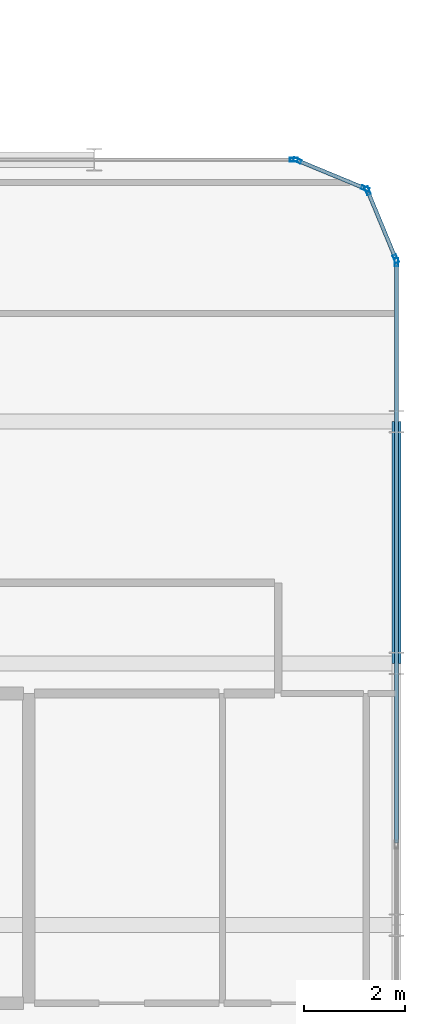
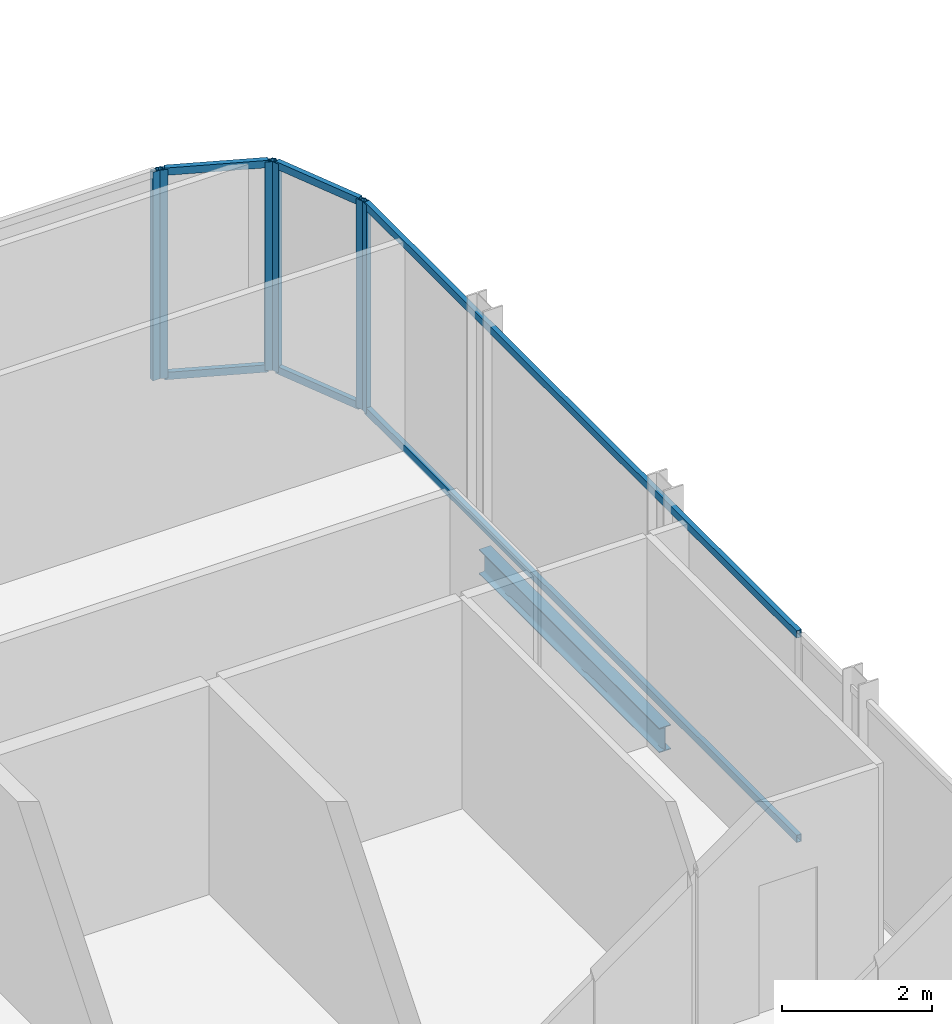
# One storey, part 15 of 29: 12 members, 1 beam, 4 elements without a shape of their own.
"""IFC4 building model written with IfcOpenShell, lengths in metres."""

import ifcopenshell
import ifcopenshell.guid

model = None  # the IFC model being written
_history = None  # IfcOwnerHistory: only IFC2X3 demands one
_inside = {}  # id of a spatial element -> (the spatial element, [elements in it])
_under = {}  # id of a project, library or spatial element -> (it, [spatial elements below it])
_declared = {}  # id of a project -> (the project, [libraries it declares])
_typed = {}  # id of a type object -> (the type object, [elements of that type])
_made_of = {}  # id of a material, layer set ... -> (it, [elements and type objects made of it])


def new_model(schema):
    """Start an empty IFC model of exactly this schema.

    Asked for "IFC4X3", IfcOpenShell would pick the latest addendum, in which some entities
    have other attributes; the version numbers below select the first issue.
    IFC2X3 requires an IfcOwnerHistory on every rooted entity: one is made here for all.
    """
    global model, _history
    if schema == "IFC4X3":
        model = ifcopenshell.file(schema_version=(4, 3, 0, 0))
    else:
        model = ifcopenshell.file(schema=schema)
    _inside.clear()
    _under.clear()
    _declared.clear()
    _typed.clear()
    _made_of.clear()
    _history = None
    if model.schema == "IFC2X3":
        org = make("IfcOrganization", Name="unknown")
        user = make(
            "IfcPersonAndOrganization",
            ThePerson=make("IfcPerson", FamilyName="unknown"),
            TheOrganization=org,
        )
        app = make(
            "IfcApplication",
            ApplicationDeveloper=org,
            Version="unknown",
            ApplicationFullName="unknown",
            ApplicationIdentifier="unknown",
        )
        _history = make(
            "IfcOwnerHistory",
            OwningUser=user,
            OwningApplication=app,
            ChangeAction="ADDED",
            CreationDate=0,
        )
    return model


def make(cls, **values):
    """One entity of the class cls with the attributes given. An attribute that is None is left unset."""
    return model.create_entity(
        cls, **{name: value for name, value in values.items() if value is not None}
    )


def rooted(cls, **values):
    """An entity with a GlobalId (a new one), such as an element, a storey or a relation."""
    return make(cls, GlobalId=ifcopenshell.guid.new(), OwnerHistory=_history, **values)


def si_unit(unit_type, name, prefix=None):
    """IfcSIUnit, for example si_unit("LENGTHUNIT", "METRE", prefix="MILLI")."""
    return make("IfcSIUnit", UnitType=unit_type, Prefix=prefix, Name=name)


def assignment(units):
    """IfcUnitAssignment: the units of a project."""
    return None if units is None else make("IfcUnitAssignment", Units=units)


def point(xyz):
    """IfcCartesianPoint."""
    return None if xyz is None else make("IfcCartesianPoint", Coordinates=xyz)


def direction(xyz):
    """IfcDirection."""
    return None if xyz is None else make("IfcDirection", DirectionRatios=xyz)


def frame(location, z_axis=None, x_axis=None):
    """IfcAxis2Placement3D, a coordinate frame: its origin and axes. An axis left out is left unset."""
    return make(
        "IfcAxis2Placement3D",
        Location=point(location),
        Axis=direction(z_axis),
        RefDirection=direction(x_axis),
    )


def frame_2d(location, x_axis=None):
    """IfcAxis2Placement2D, a coordinate frame in the plane: its origin and x axis."""
    return make(
        "IfcAxis2Placement2D", Location=point(location), RefDirection=direction(x_axis)
    )


def origin():
    """The frame at (0, 0, 0) with its axes left unset."""
    return frame((0.0, 0.0, 0.0))


def origin_2d():
    """The frame at (0, 0) in the plane with its x axis left unset."""
    return frame_2d((0.0, 0.0))


def place(relative_to, where):
    """IfcLocalPlacement: puts the frame where relative to a parent placement (None: the world)."""
    return make(
        "IfcLocalPlacement", PlacementRelTo=relative_to, RelativePlacement=where
    )


def context(
    kind, dimensions, precision=None, world=None, true_north=None, identifier=None
):
    """IfcGeometricRepresentationContext, for example the 3D "Model" context."""
    return make(
        "IfcGeometricRepresentationContext",
        ContextIdentifier=identifier,
        ContextType=kind,
        CoordinateSpaceDimension=dimensions,
        Precision=precision,
        WorldCoordinateSystem=world,
        TrueNorth=true_north,
    )


def subcontext(parent, identifier, kind, view, scale=None):
    """IfcGeometricRepresentationSubContext, for example "Body" below "Model"."""
    return make(
        "IfcGeometricRepresentationSubContext",
        ContextIdentifier=identifier,
        ContextType=kind,
        ParentContext=parent,
        TargetScale=scale,
        TargetView=view,
    )


def project(units=None, contexts=None):
    """IfcProject with its units and contexts."""
    return rooted(
        "IfcProject",
        Name="project",
        RepresentationContexts=contexts,
        UnitsInContext=assignment(units),
    )


def spatial(cls, under=None, at=None, **own):
    """A site, building, storey or space (cls), placed at a placement, below another one or the project."""
    s = rooted(cls, ObjectPlacement=at, **own)
    if under is not None:
        _under.setdefault(under.id(), (under, []))[1].append(s)
    return s


def profile(cls, at=None, kind="AREA", **sizes):
    """A parametric profile (cls). Its sizes go by their IFC names, for example OverallWidth=200.0."""
    return make(cls, ProfileType=kind, Position=at, **sizes)


def hollow_rectangle(**sizes):
    """IfcRectangleHollowProfileDef."""
    return profile("IfcRectangleHollowProfileDef", **sizes)


def i_section(**sizes):
    """IfcIShapeProfileDef."""
    return profile("IfcIShapeProfileDef", **sizes)


def extrude(swept, where, along, depth):
    """IfcExtrudedAreaSolid: the profile swept, set in the frame where, extruded along a direction by depth."""
    return make(
        "IfcExtrudedAreaSolid",
        SweptArea=swept,
        Position=where,
        ExtrudedDirection=direction(along),
        Depth=depth,
    )


def shape(context_of_items, identifier, shape_type, items):
    """IfcShapeRepresentation: the items that make up one representation, for example the "Body"."""
    return make(
        "IfcShapeRepresentation",
        ContextOfItems=context_of_items,
        RepresentationIdentifier=identifier,
        RepresentationType=shape_type,
        Items=items,
    )


def material(Name=None, Category=None):
    """IfcMaterial."""
    return make("IfcMaterial", Name=Name, Category=Category)


def layer(
    of_material, thickness, ventilated=None, Name=None, Category=None, Priority=None
):
    """IfcMaterialLayer: one layer of a wall or slab, of a material (None: an air gap)."""
    return make(
        "IfcMaterialLayer",
        Material=of_material,
        LayerThickness=thickness,
        IsVentilated=ventilated,
        Name=Name,
        Category=Category,
        Priority=Priority,
    )


def layer_set(layers, Name=None):
    """IfcMaterialLayerSet."""
    return make("IfcMaterialLayerSet", MaterialLayers=layers, LayerSetName=Name)


def material_profile(
    of_material, cross_section, Name=None, Category=None, Priority=None
):
    """IfcMaterialProfile: a cross section and its material."""
    return make(
        "IfcMaterialProfile",
        Name=Name,
        Material=of_material,
        Profile=cross_section,
        Priority=Priority,
        Category=Category,
    )


def profile_set(profiles, Name=None, composite=None):
    """IfcMaterialProfileSet."""
    return make(
        "IfcMaterialProfileSet",
        Name=Name,
        MaterialProfiles=profiles,
        CompositeProfile=composite,
    )


def made_of(thing, what):
    """Note that an element or type object is made of a material, layer set ...; save() writes the relation."""
    if what is not None:
        _made_of.setdefault(what.id(), (what, []))[1].append(thing)
    return thing


def type_object(cls, material=None, **own):
    """A type object (cls), such as IfcWallType, which elements share."""
    return made_of(rooted(cls, **own), material)


def element(
    cls,
    number,
    at=None,
    inside=None,
    cuts=None,
    type_object=None,
    material=None,
    context=None,
    identifier="Body",
    shape_type=None,
    held_by="IfcProductDefinitionShape",
    body=None,
    shapes=None,
    **own,
):
    """One element of the class cls, such as IfcWall. Its Tag is "e" and its number.

    at: its placement. inside: the storey or other place that contains it. cuts: it is an
    opening in that element (IfcRelVoidsElement). A single representation is given by context,
    identifier, shape_type and body (its items); several are given by shapes. held_by: the class
    of the entity that holds the representations. save() writes the other relations.
    """
    e = rooted(cls, Tag="e%d" % number, ObjectPlacement=at, **own)
    if body is not None:
        shapes = [shape(context, identifier, shape_type, body)]
    if shapes is not None:
        e.Representation = make(held_by, Representations=shapes)
    if inside is not None:
        _inside.setdefault(inside.id(), (inside, []))[1].append(e)
    if cuts is not None:
        rooted(
            "IfcRelVoidsElement", RelatingBuildingElement=cuts, RelatedOpeningElement=e
        )
    if type_object is not None:
        _typed.setdefault(type_object.id(), (type_object, []))[1].append(e)
    return made_of(e, material)


def aggregate(whole, parts):
    """IfcRelAggregates: a whole, such as a stair, and the parts it consists of."""
    return rooted("IfcRelAggregates", RelatingObject=whole, RelatedObjects=parts)


def save(model, path):
    """Write the relations noted so far, then the file.

    IfcRelAggregates (storeys below a building ...), IfcRelContainedInSpatialStructure (elements
    in a storey), IfcRelDefinesByType, IfcRelAssociatesMaterial and IfcRelDeclares: one each for
    every whole, place, type object, material and project.
    """
    for whole, parts in _under.values():
        aggregate(whole, parts)
    for where, things in _inside.values():
        rooted(
            "IfcRelContainedInSpatialStructure",
            RelatedElements=things,
            RelatingStructure=where,
        )
    for kind, things in _typed.values():
        rooted("IfcRelDefinesByType", RelatedObjects=things, RelatingType=kind)
    for what, things in _made_of.values():
        rooted("IfcRelAssociatesMaterial", RelatedObjects=things, RelatingMaterial=what)
    for by, libraries in _declared.values():
        rooted("IfcRelDeclares", RelatingContext=by, RelatedDefinitions=libraries)
    model.write(path)


model = new_model("IFC4")

# Units and contexts
model_context = context("Model", 3, precision=1e-05, world=origin(), true_north=direction((0.0, 1.0)))
body_context = subcontext(model_context, "Body", "Model", "MODEL_VIEW")
ifc_project = project(units=[si_unit("LENGTHUNIT", "METRE"), si_unit("AREAUNIT", "SQUARE_METRE"), si_unit("VOLUMEUNIT", "CUBIC_METRE"), si_unit("PLANEANGLEUNIT", "RADIAN"), si_unit("MASSUNIT", "GRAM", prefix="KILO")], contexts=[model_context])

# Site, building, storey
site_placement = place(None, origin())
site = spatial("IfcSite", under=ifc_project, at=site_placement, CompositionType="ELEMENT")
building_placement = place(site_placement, origin())
building = spatial("IfcBuilding", under=site, at=building_placement, Name="Keshet Zoharim Tower", CompositionType="ELEMENT")
storey_placement = place(building_placement, frame((0.0, 0.0, 192.10009765625)))
storey = spatial("IfcBuildingStorey", under=building, at=storey_placement, Name="L47", CompositionType="ELEMENT", Elevation=192.10009765625)

# Beam
ifc_material_1 = material(Name="Steel S355", Category="steel")
ifc_material_profile_1 = material_profile(ifc_material_1, i_section(OverallWidth=0.179931640625, OverallDepth=0.39990234375, WebThickness=0.008544921875, FlangeThickness=0.013427734375, FilletRadius=0.02099609375, at=origin_2d()), Name="IPE400")
ifc_profile_set_1 = profile_set([ifc_material_profile_1], Name="Steel S355")
beam_type = type_object("IfcBeamType", Name="BM-PRI-IP400", PredefinedType="BEAM", material=ifc_profile_set_1)
beam_placement = place(storey_placement, frame((57.0, 17.89990234375, -0.510009765625), z_axis=(0.0, 1.0, 0.0), x_axis=(-1.0, 0.0, 0.0)))
element("IfcBeam", 1, at=beam_placement, inside=storey, type_object=beam_type, Name="L47 Primary Girder Y-015", PredefinedType="BEAM", context=body_context, shape_type="SweptSolid", body=[
    extrude(i_section(OverallWidth=0.179931640625, OverallDepth=0.39990234375, WebThickness=0.008544921875, FlangeThickness=0.013427734375, FilletRadius=0.02099609375, at=origin_2d()), origin(), (0.0, 0.0, 1.0), 4.800048828125),
])

# Curtain wall, members
ifc_material_2 = material(Name="Aluminium 6063-T6", Category="aluminium")
ifc_layer = layer(ifc_material_2, 0.139892578125)
ifc_layer_set = layer_set([ifc_layer], Name="Aluminium 6063-T6")
curtain_wall_type = type_object("IfcCurtainWallType", Name="CW-SYS-05", PredefinedType="NOTDEFINED", material=ifc_layer_set)
curtain_wall_1_placement = place(storey_placement, origin())
curtain_wall_1 = element("IfcCurtainWall", 2, at=curtain_wall_1_placement, inside=storey, type_object=curtain_wall_type, Name="L47 Unitised Curtain Wall 01", PredefinedType="NOTDEFINED")
ifc_material_profile_2 = material_profile(ifc_material_2, hollow_rectangle(XDim=0.074951171875, YDim=0.159912109375, WallThickness=0.00390625, at=origin_2d()), Name="MUL-75x160")
ifc_profile_set_2 = profile_set([ifc_material_profile_2], Name="Aluminium 6063-T6")
member_type_1 = type_object("IfcMemberType", Name="CWM-M15", PredefinedType="MULLION", material=ifc_profile_set_2)
member_1_placement = place(storey_placement, frame((55.0322265625, 27.88671875, 0.0), z_axis=(0.0, 0.0, 1.0), x_axis=(0.382851849847, 0.92380975372, 0.0)))
member_1 = element("IfcMember", 3, at=member_1_placement, type_object=member_type_1, Name="CW-05 mullion 1", PredefinedType="MULLION", context=body_context, shape_type="SweptSolid", body=[
    extrude(hollow_rectangle(XDim=0.074951171875, YDim=0.159912109375, WallThickness=0.00390625, at=origin_2d()), origin(), (0.0, 0.0, 1.0), 3.389892578125),
])
member_2_placement = place(storey_placement, frame((56.381591796875, 27.327392578125, 0.0), z_axis=(0.0, 0.0, 1.0), x_axis=(0.382851849847, 0.92380975372, 0.0)))
member_2 = element("IfcMember", 4, at=member_2_placement, type_object=member_type_1, Name="CW-05 mullion 2", PredefinedType="MULLION", context=body_context, shape_type="SweptSolid", body=[
    extrude(hollow_rectangle(XDim=0.074951171875, YDim=0.159912109375, WallThickness=0.00390625, at=origin_2d()), origin(), (0.0, 0.0, 1.0), 3.389892578125),
])

curtain_wall_2_placement = place(storey_placement, origin())
curtain_wall_2 = element("IfcCurtainWall", 5, at=curtain_wall_2_placement, inside=storey, type_object=curtain_wall_type, Name="L47 Unitised Curtain Wall 02", PredefinedType="NOTDEFINED")
member_3_placement = place(storey_placement, frame((56.427490234375, 27.28173828125, 0.0), z_axis=(0.0, 0.0, 1.0), x_axis=(0.92380975372, 0.382851849847, 0.0)))
member_3 = element("IfcMember", 6, at=member_3_placement, type_object=member_type_1, Name="CW-05 mullion 1", PredefinedType="MULLION", context=body_context, shape_type="SweptSolid", body=[
    extrude(hollow_rectangle(XDim=0.074951171875, YDim=0.159912109375, WallThickness=0.00390625, at=origin_2d()), origin(), (0.0, 0.0, 1.0), 3.389892578125),
])
member_4_placement = place(storey_placement, frame((56.986572265625, 25.932373046875, 0.0), z_axis=(0.0, 0.0, 1.0), x_axis=(0.92380975372, 0.382851849847, 0.0)))
member_4 = element("IfcMember", 7, at=member_4_placement, type_object=member_type_1, Name="CW-05 mullion 2", PredefinedType="MULLION", context=body_context, shape_type="SweptSolid", body=[
    extrude(hollow_rectangle(XDim=0.074951171875, YDim=0.159912109375, WallThickness=0.00390625, at=origin_2d()), origin(), (0.0, 0.0, 1.0), 3.389892578125),
])

# Curtain wall, member
curtain_wall_3_placement = place(storey_placement, origin())
curtain_wall_3 = element("IfcCurtainWall", 8, at=curtain_wall_3_placement, inside=storey, type_object=curtain_wall_type, Name="L47 Unitised Curtain Wall 03", PredefinedType="NOTDEFINED")
member_5_placement = place(storey_placement, frame((57.0, 25.864990234375, 0.0), z_axis=(0.0, 0.0, 1.0), x_axis=(1.0, 0.0, 0.0)))
member_5 = element("IfcMember", 9, at=member_5_placement, type_object=member_type_1, Name="CW-05 mullion 1", PredefinedType="MULLION", context=body_context, shape_type="SweptSolid", body=[
    extrude(hollow_rectangle(XDim=0.074951171875, YDim=0.159912109375, WallThickness=0.00390625, at=origin_2d()), origin(), (0.0, 0.0, 1.0), 3.389892578125),
])

curtain_wall_4_placement = place(storey_placement, origin())
curtain_wall_4 = element("IfcCurtainWall", 10, at=curtain_wall_4_placement, inside=storey, type_object=curtain_wall_type, Name="L47 Unitised Curtain Wall 20 Part 2", PredefinedType="NOTDEFINED")
member_6_placement = place(storey_placement, frame((54.965087890625, 27.89990234375, 0.0), z_axis=(0.0, 0.0, 1.0), x_axis=(0.0, 1.0, 0.0)))
member_6 = element("IfcMember", 11, at=member_6_placement, type_object=member_type_1, Name="CW-05 mullion 2", PredefinedType="MULLION", context=body_context, shape_type="SweptSolid", body=[
    extrude(hollow_rectangle(XDim=0.074951171875, YDim=0.159912109375, WallThickness=0.00390625, at=origin_2d()), origin(), (0.0, 0.0, 1.0), 3.389892578125),
])
aggregate(curtain_wall_4, [member_6])

# Member
ifc_material_profile_3 = material_profile(ifc_material_2, hollow_rectangle(XDim=0.074951171875, YDim=0.1201171875, WallThickness=0.00390625, at=origin_2d()), Name="TRN-75x120")
ifc_profile_set_3 = profile_set([ifc_material_profile_3], Name="Aluminium 6063-T6")
member_type_2 = type_object("IfcMemberType", Name="CWT-T12", PredefinedType="USERDEFINED", material=ifc_profile_set_3)
member_7_placement = place(storey_placement, frame((55.064697265625, 27.873291015625, 0.034912109375), z_axis=(0.92379209995, -0.382894445076, 0.0), x_axis=(0.382894445076, 0.92379209995, 0.0)))
member_7 = element("IfcMember", 12, at=member_7_placement, type_object=member_type_2, Name="CW-05 transom 1.1", ObjectType="TRANSOM", PredefinedType="USERDEFINED", context=body_context, shape_type="SweptSolid", body=[
    extrude(hollow_rectangle(XDim=0.074951171875, YDim=0.1201171875, WallThickness=0.00390625, at=origin_2d()), origin(), (0.0, 0.0, 1.0), 1.390625),
])

member_8_placement = place(storey_placement, frame((55.064697265625, 27.873291015625, 3.35498046875), z_axis=(0.92379209995, -0.382894445076, 0.0), x_axis=(0.382894445076, 0.92379209995, 0.0)))
member_8 = element("IfcMember", 13, at=member_8_placement, type_object=member_type_2, Name="CW-05 transom 1.2", ObjectType="TRANSOM", PredefinedType="USERDEFINED", context=body_context, shape_type="SweptSolid", body=[
    extrude(hollow_rectangle(XDim=0.074951171875, YDim=0.1201171875, WallThickness=0.00390625, at=origin_2d()), origin(), (0.0, 0.0, 1.0), 1.390625),
])

aggregate(curtain_wall_1, [member_1, member_2, member_7, member_8])

member_9_placement = place(storey_placement, frame((56.44091796875, 27.249267578125, 0.034912109375), z_axis=(0.382744609247, -0.923854189844, 0.0), x_axis=(0.923854189844, 0.382744609247, 0.0)))
member_9 = element("IfcMember", 14, at=member_9_placement, type_object=member_type_2, Name="CW-05 transom 1.1", ObjectType="TRANSOM", PredefinedType="USERDEFINED", context=body_context, shape_type="SweptSolid", body=[
    extrude(hollow_rectangle(XDim=0.074951171875, YDim=0.1201171875, WallThickness=0.00390625, at=origin_2d()), origin(), (0.0, 0.0, 1.0), 1.390625),
])

member_10_placement = place(storey_placement, frame((56.44091796875, 27.249267578125, 3.35498046875), z_axis=(0.382744609247, -0.923854189844, 0.0), x_axis=(0.923854189844, 0.382744609247, 0.0)))
member_10 = element("IfcMember", 15, at=member_10_placement, type_object=member_type_2, Name="CW-05 transom 1.2", ObjectType="TRANSOM", PredefinedType="USERDEFINED", context=body_context, shape_type="SweptSolid", body=[
    extrude(hollow_rectangle(XDim=0.074951171875, YDim=0.1201171875, WallThickness=0.00390625, at=origin_2d()), origin(), (0.0, 0.0, 1.0), 1.390625),
])

aggregate(curtain_wall_2, [member_3, member_4, member_9, member_10])

member_11_placement = place(storey_placement, frame((57.0, 25.830078125, 0.034912109375), z_axis=(0.0, -1.0, 0.0), x_axis=(1.0, 0.0, 0.0)))
member_11 = element("IfcMember", 16, at=member_11_placement, type_object=member_type_2, Name="CW-05 transom 1.1", ObjectType="TRANSOM", PredefinedType="USERDEFINED", context=body_context, shape_type="SweptSolid", body=[
    extrude(hollow_rectangle(XDim=0.074951171875, YDim=0.1201171875, WallThickness=0.00390625, at=origin_2d()), origin(), (0.0, 0.0, 1.0), 11.4951171875),
])

member_12_placement = place(storey_placement, frame((57.0, 25.830078125, 3.35498046875), z_axis=(0.0, -1.0, 0.0), x_axis=(1.0, 0.0, 0.0)))
member_12 = element("IfcMember", 17, at=member_12_placement, type_object=member_type_2, Name="CW-05 transom 1.2", ObjectType="TRANSOM", PredefinedType="USERDEFINED", context=body_context, shape_type="SweptSolid", body=[
    extrude(hollow_rectangle(XDim=0.074951171875, YDim=0.1201171875, WallThickness=0.00390625, at=origin_2d()), origin(), (0.0, 0.0, 1.0), 11.4951171875),
])

aggregate(curtain_wall_3, [member_5, member_11, member_12])

save(model, "model.ifc")
